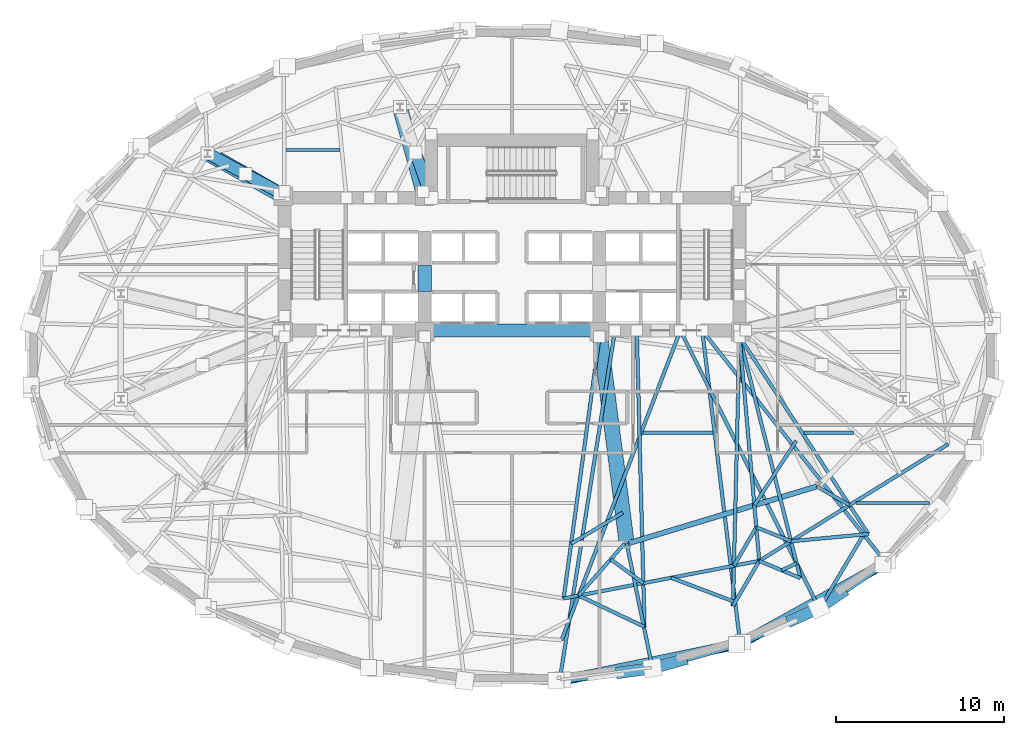
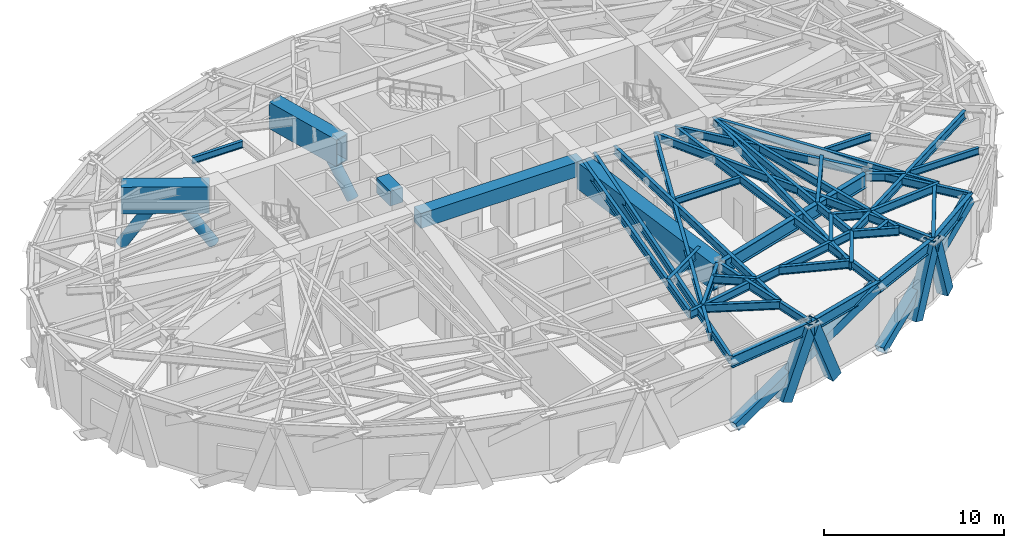
# One storey, part 3 of 14: 42 beams, 9 members.
"""IFC4 building model written with IfcOpenShell, lengths in metres."""

from ifc_helpers import new_model, si_unit, direction, frame, origin, origin_2d, place, context, subcontext, project, spatial, rectangle, hollow_rectangle, hollow_circle, i_section, extrude, material, material_profile, profile_set, type_object, element, save


model = new_model("IFC4")

# Units and contexts
model_context = context("Model", 3, precision=1e-05, world=origin(), true_north=direction((0.0, 1.0)))
body_context = subcontext(model_context, "Body", "Model", "MODEL_VIEW")
ifc_project = project(units=[si_unit("LENGTHUNIT", "METRE"), si_unit("AREAUNIT", "SQUARE_METRE"), si_unit("VOLUMEUNIT", "CUBIC_METRE"), si_unit("PLANEANGLEUNIT", "RADIAN"), si_unit("MASSUNIT", "GRAM", prefix="KILO")], contexts=[model_context])

# Site, building, storey
site_placement = place(None, origin())
site = spatial("IfcSite", under=ifc_project, at=site_placement, CompositionType="ELEMENT")
building_placement = place(site_placement, origin())
building = spatial("IfcBuilding", under=site, at=building_placement, Name="Keldmark Tower", CompositionType="ELEMENT")
storey_placement = place(building_placement, frame((0.0, 0.0, 77.39990234375)))
storey = spatial("IfcBuildingStorey", under=building, at=storey_placement, Name="L20", CompositionType="ELEMENT", Elevation=77.39990234375)

# Members
ifc_material_1 = material(Name="Steel ASTM A572 Grade 50", Category="steel")
ifc_material_profile_1 = material_profile(ifc_material_1, hollow_rectangle(XDim=0.60009765625, YDim=0.60009765625, WallThickness=0.034912109375, at=origin_2d()), Name="BOX600X600X35")
ifc_profile_set_1 = profile_set([ifc_material_profile_1], Name="Steel ASTM A572 Grade 50")
member_type_1 = type_object("IfcMemberType", Name="Belt Truss Diagonal Brace BOX600", PredefinedType="BRACE", material=ifc_profile_set_1)
member_1_placement = place(storey_placement, frame((3.03857421875, -19.316650390625, -0.539794921875), z_axis=(0.900089258732, 0.184893796968, 0.394529606187), x_axis=(-0.201215770394, 0.979546943104, 0.0)))
element("IfcMember", 1, at=member_1_placement, inside=storey, type_object=member_type_1, Name="L20 Perimeter Belt Truss Brace 13", PredefinedType="BRACE", context=body_context, shape_type="SweptSolid", body=[
    extrude(hollow_rectangle(XDim=0.60009765625, YDim=0.60009765625, WallThickness=0.034912109375, at=origin_2d()), origin(), (0.0, 0.0, 1.0), 11.4560546875),
])
member_2_placement = place(storey_placement, frame((13.735595703125, -17.0595703125, -0.539794921875), z_axis=(0.789813707761, 0.438764815289, 0.42857874877), x_axis=(-0.485625527038, 0.874166944862, 0.0)))
element("IfcMember", 2, at=member_2_placement, inside=storey, type_object=member_type_1, Name="L20 Perimeter Belt Truss Brace 14", PredefinedType="BRACE", context=body_context, shape_type="SweptSolid", body=[
    extrude(hollow_rectangle(XDim=0.60009765625, YDim=0.60009765625, WallThickness=0.034912109375, at=origin_2d()), origin(), (0.0, 0.0, 1.0), 10.5458984375),
])

# Beams
ifc_material_2 = material(Name="Steel ASTM A992 Grade 50", Category="steel")
ifc_material_profile_2 = material_profile(ifc_material_2, i_section(OverallWidth=0.19091796875, OverallDepth=0.45703125, WebThickness=0.009033203125, FlangeThickness=0.014404296875, at=origin_2d()), Name="W18X50")
ifc_profile_set_2 = profile_set([ifc_material_profile_2], Name="Steel ASTM A992 Grade 50")
beam_type_1 = type_object("IfcBeamType", Name="Composite Floor Joist W18X50", PredefinedType="JOIST", material=ifc_profile_set_2)
beam_1_placement = place(storey_placement, frame((20.459228515625, -8.780029296875, 4.051513671875), z_axis=(1.0, 0.0, 0.0), x_axis=(0.0, 1.0, 0.0)))
element("IfcBeam", 3, at=beam_1_placement, inside=storey, type_object=beam_type_1, Name="L20 Composite Floor Joist J04", PredefinedType="JOIST", context=body_context, shape_type="SweptSolid", body=[
    extrude(i_section(OverallWidth=0.19091796875, OverallDepth=0.45703125, WebThickness=0.009033203125, FlangeThickness=0.014404296875, at=origin_2d()), origin(), (0.0, 0.0, 1.0), 4.35205078125),
])
beam_2_placement = place(storey_placement, frame((7.781982421875, -4.60009765625, 4.051513671875), z_axis=(1.0, 0.0, 0.0), x_axis=(0.0, 1.0, 0.0)))
element("IfcBeam", 4, at=beam_2_placement, inside=storey, type_object=beam_type_1, Name="L20 Composite Floor Joist J08", PredefinedType="JOIST", context=body_context, shape_type="SweptSolid", body=[
    extrude(i_section(OverallWidth=0.19091796875, OverallDepth=0.45703125, WebThickness=0.009033203125, FlangeThickness=0.014404296875, at=origin_2d()), origin(), (0.0, 0.0, 1.0), 4.16650390625),
])
beam_3_placement = place(storey_placement, frame((17.364013671875, -4.60009765625, 4.051513671875), z_axis=(1.0, 0.0, 0.0), x_axis=(0.0, 1.0, 0.0)))
element("IfcBeam", 5, at=beam_3_placement, inside=storey, type_object=beam_type_1, Name="L20 Composite Floor Joist J09", PredefinedType="JOIST", context=body_context, shape_type="SweptSolid", body=[
    extrude(i_section(OverallWidth=0.19091796875, OverallDepth=0.45703125, WebThickness=0.009033203125, FlangeThickness=0.014404296875, at=origin_2d()), origin(), (0.0, 0.0, 1.0), 2.94140625),
])
beam_4_placement = place(storey_placement, frame((-13.44580078125, 12.199951171875, 4.051513671875), z_axis=(1.0, 0.0, 0.0), x_axis=(0.0, 1.0, 0.0)))
element("IfcBeam", 6, at=beam_4_placement, inside=storey, type_object=beam_type_1, Name="L20 Composite Floor Joist J12", PredefinedType="JOIST", context=body_context, shape_type="SweptSolid", body=[
    extrude(i_section(OverallWidth=0.19091796875, OverallDepth=0.45703125, WebThickness=0.009033203125, FlangeThickness=0.014404296875, at=origin_2d()), origin(), (0.0, 0.0, 1.0), 3.230224609375),
])
ifc_material_3 = material(Name="Concrete C70/85", Category="concrete")
ifc_material_profile_3 = material_profile(ifc_material_3, rectangle(XDim=0.800048828125, YDim=1.0, at=origin_2d()), Name="RCB800X1000")
ifc_profile_set_3 = profile_set([ifc_material_profile_3], Name="Concrete C70/85")
beam_type_2 = type_object("IfcBeamType", Name="Core Coupling Beam RCB800X1000", PredefinedType="USERDEFINED", material=ifc_profile_set_3)
beam_5_placement = place(storey_placement, frame((-5.199951171875, 3.800048828125, 3.780029296875), z_axis=(0.0, 1.0, 0.0), x_axis=(-1.0, 0.0, 0.0)))
element("IfcBeam", 7, at=beam_5_placement, inside=storey, type_object=beam_type_2, Name="L20 West Core Coupling Beam", ObjectType="COUPLING BEAM", PredefinedType="USERDEFINED", context=body_context, shape_type="SweptSolid", body=[
    extrude(rectangle(XDim=0.800048828125, YDim=1.0, at=origin_2d()), origin(), (0.0, 0.0, 1.0), 1.550048828125),
])
beam_6_placement = place(storey_placement, frame((-5.199951171875, 1.47509765625, 3.780029296875), z_axis=(1.0, 0.0, 0.0), x_axis=(0.0, 1.0, 0.0)))
element("IfcBeam", 8, at=beam_6_placement, inside=storey, type_object=beam_type_2, Name="L20 Central South Core Coupling Beam", ObjectType="COUPLING BEAM", PredefinedType="USERDEFINED", context=body_context, shape_type="SweptSolid", body=[
    extrude(rectangle(XDim=0.800048828125, YDim=1.0, at=origin_2d()), origin(), (0.0, 0.0, 1.0), 10.39990234375),
])

# Members
ifc_material_4 = material(Name="Steel ASTM A572 Grade 50", Category="steel")
ifc_material_profile_4 = material_profile(ifc_material_4, hollow_rectangle(XDim=0.699951171875, YDim=0.699951171875, WallThickness=0.054931640625, at=origin_2d()), Name="BOX700X700X55")
ifc_profile_set_4 = profile_set([ifc_material_profile_4], Name="Steel ASTM A572 Grade 50")
member_type_2 = type_object("IfcMemberType", Name="Diagrid Zone 1 Brace BOX700X700X55", PredefinedType="BRACE", material=ifc_profile_set_4)
member_3_placement = place(storey_placement, frame((6.508544921875, -18.84912109375, -0.31982421875), z_axis=(0.380427056547, 0.051226817932, 0.923391069792), x_axis=(-0.133451630096, 0.99105532763, 0.0)))
element("IfcMember", 9, at=member_3_placement, inside=storey, type_object=member_type_2, Name="L20 Perimeter Diagrid Brace 13A", PredefinedType="BRACE", context=body_context, shape_type="SweptSolid", body=[
    extrude(hollow_rectangle(XDim=0.699951171875, YDim=0.699951171875, WallThickness=0.054931640625, at=origin_2d()), origin(), (0.0, 0.0, 1.0), 4.8515625),
])
member_4_placement = place(storey_placement, frame((10.08154296875, -18.115234375, -0.31982421875), z_axis=(-0.359975574224, -0.100936706224, 0.927485507865), x_axis=(0.269985949358, -0.962864262058, 0.0)))
element("IfcMember", 10, at=member_4_placement, inside=storey, type_object=member_type_2, Name="L20 Perimeter Diagrid Brace 13B", PredefinedType="BRACE", context=body_context, shape_type="SweptSolid", body=[
    extrude(hollow_rectangle(XDim=0.699951171875, YDim=0.699951171875, WallThickness=0.054931640625, at=origin_2d()), origin(), (0.0, 0.0, 1.0), 4.830322265625),
])
member_5_placement = place(storey_placement, frame((16.677490234375, -15.728759765625, -0.31982421875), z_axis=(0.32612174834, 0.147566401964, 0.933739129667), x_axis=(-0.412249348078, 0.911071059253, 0.0)))
element("IfcMember", 11, at=member_5_placement, inside=storey, type_object=member_type_2, Name="L20 Perimeter Diagrid Brace 14A", PredefinedType="BRACE", context=body_context, shape_type="SweptSolid", body=[
    extrude(hollow_rectangle(XDim=0.699951171875, YDim=0.699951171875, WallThickness=0.054931640625, at=origin_2d()), origin(), (0.0, 0.0, 1.0), 4.7978515625),
])
member_6_placement = place(storey_placement, frame((19.56298828125, -14.126220703125, -0.31982421875), z_axis=(-0.279561268078, -0.18933222761, 0.941275095272), x_axis=(0.560750723676, -0.827984677332, 0.0)))
element("IfcMember", 12, at=member_6_placement, inside=storey, type_object=member_type_2, Name="L20 Perimeter Diagrid Brace 14B", PredefinedType="BRACE", context=body_context, shape_type="SweptSolid", body=[
    extrude(hollow_rectangle(XDim=0.699951171875, YDim=0.699951171875, WallThickness=0.054931640625, at=origin_2d()), origin(), (0.0, 0.0, 1.0), 4.759521484375),
])

# Beam
ifc_material_5 = material(Name="Steel ASTM A992 Grade 50", Category="steel")
ifc_material_profile_5 = material_profile(ifc_material_5, i_section(OverallWidth=0.31005859375, OverallDepth=0.931884765625, WebThickness=0.02099609375, FlangeThickness=0.034423828125, at=origin_2d()), Name="W36X210")
ifc_profile_set_5 = profile_set([ifc_material_profile_5], Name="Steel ASTM A992 Grade 50")
beam_type_3 = type_object("IfcBeamType", Name="Outrigger Chord Girder W36X210", PredefinedType="BEAM", material=ifc_profile_set_5)
beam_7_placement = place(storey_placement, frame((6.9560546875, -11.165283203125, 3.814208984375), z_axis=(0.957346071406, 0.2889437654, 0.0), x_axis=(-0.2889437654, 0.957346071406, 0.0)))
element("IfcBeam", 13, at=beam_7_placement, inside=storey, type_object=beam_type_3, Name="L20 Floor Ring Girder FG-R10", PredefinedType="BEAM", context=body_context, shape_type="SweptSolid", body=[
    extrude(i_section(OverallWidth=0.31005859375, OverallDepth=0.931884765625, WebThickness=0.02099609375, FlangeThickness=0.034423828125, at=origin_2d()), origin(), (0.0, 0.0, 1.0), 11.66015625),
])

# Members
ifc_material_6 = material(Name="Steel ASTM A572 Grade 50", Category="steel")
ifc_material_profile_6 = material_profile(ifc_material_6, hollow_circle(Radius=0.35009765625, WallThickness=0.031982421875, at=origin_2d()), Name="CHS700X32")
ifc_profile_set_6 = profile_set([ifc_material_profile_6], Name="Steel ASTM A572 Grade 50")
member_type_3 = type_object("IfcMemberType", Name="Outrigger Web Strut CHS700X32", PredefinedType="STRUT", material=ifc_profile_set_6)
member_7_placement = place(storey_placement, frame((-13.60009765625, 9.550048828125, 0.150146484375), z_axis=(-0.488006880473, 0.266652766195, 0.831111055691), x_axis=(-0.479499479875, -0.877542163545, 0.0)))
element("IfcMember", 14, at=member_7_placement, inside=storey, type_object=member_type_3, Name="L20 Core Outrigger Truss Strut 03A", PredefinedType="STRUT", context=body_context, shape_type="SweptSolid", body=[
    extrude(hollow_circle(Radius=0.35009765625, WallThickness=0.031982421875, at=origin_2d()), origin(), (0.0, 0.0, 1.0), 4.608154296875),
])
member_8_placement = place(storey_placement, frame((-18.09765625, 12.00732421875, 0.150146484375), z_axis=(0.48801377425, -0.266603551409, 0.831122796293), x_axis=(0.47942610845, 0.877582250582, 0.0)))
element("IfcMember", 15, at=member_8_placement, inside=storey, type_object=member_type_3, Name="L20 Core Outrigger Truss Strut 03B", PredefinedType="STRUT", context=body_context, shape_type="SweptSolid", body=[
    extrude(hollow_circle(Radius=0.35009765625, WallThickness=0.031982421875, at=origin_2d()), origin(), (0.0, 0.0, 1.0), 4.60791015625),
])
member_9_placement = place(storey_placement, frame((-4.800048828125, 9.35009765625, 0.150146484375), z_axis=(-0.195037171722, 0.565806971853, 0.801138547474), x_axis=(-0.945408342707, -0.325888118133, 0.0)))
element("IfcMember", 16, at=member_9_placement, inside=storey, type_object=member_type_3, Name="L20 Core Outrigger Truss Strut 04A", PredefinedType="STRUT", context=body_context, shape_type="SweptSolid", body=[
    extrude(hollow_circle(Radius=0.35009765625, WallThickness=0.031982421875, at=origin_2d()), origin(), (0.0, 0.0, 1.0), 4.780517578125),
])

# Beams
ifc_material_7 = material(Name="Steel ASTM A572 Grade 50", Category="steel")
ifc_material_profile_7 = material_profile(ifc_material_7, hollow_rectangle(XDim=0.89990234375, YDim=1.800048828125, WallThickness=0.074951171875, at=origin_2d()), Name="TBOX1800X900X75")
ifc_profile_set_7 = profile_set([ifc_material_profile_7], Name="Steel ASTM A572 Grade 50")
beam_type_4 = type_object("IfcBeamType", Name="Perimeter Transfer Box Girder 1800x900", PredefinedType="USERDEFINED", material=ifc_profile_set_7)
beam_8_placement = place(storey_placement, frame((-6.6650390625, 14.760009765625, 3.380126953125), z_axis=(0.26597687991, -0.963979408158, 0.0), x_axis=(0.963979408158, 0.26597687991, 0.0)))
element("IfcBeam", 17, at=beam_8_placement, inside=storey, type_object=beam_type_4, Name="L20 Upper Crown Transfer Box Girder UTB-TC-N1", ObjectType="TRANSFER GIRDER", PredefinedType="USERDEFINED", context=body_context, shape_type="SweptSolid", body=[
    extrude(hollow_rectangle(XDim=0.89990234375, YDim=1.800048828125, WallThickness=0.074951171875, at=origin_2d()), origin(), (0.0, 0.0, 1.0), 5.228271484375),
])
beam_9_placement = place(storey_placement, frame((-18.09765625, 12.00732421875, 3.380126953125), z_axis=(0.86929726432, -0.494289658243, 0.0), x_axis=(0.494289658243, 0.86929726432, 0.0)))
element("IfcBeam", 18, at=beam_9_placement, inside=storey, type_object=beam_type_4, Name="L20 Upper Crown Transfer Box Girder UTB-TC-W4", ObjectType="TRANSFER GIRDER", PredefinedType="USERDEFINED", context=body_context, shape_type="SweptSolid", body=[
    extrude(hollow_rectangle(XDim=0.89990234375, YDim=1.800048828125, WallThickness=0.074951171875, at=origin_2d()), origin(), (0.0, 0.0, 1.0), 4.893798828125),
])
beam_10_placement = place(storey_placement, frame((6.822021484375, -11.205810546875, 3.380126953125), z_axis=(-0.12763105011, 0.991821715354, 0.0), x_axis=(-0.991821715354, -0.12763105011, 0.0)))
element("IfcBeam", 19, at=beam_10_placement, inside=storey, type_object=beam_type_4, Name="L20 Upper Crown Transfer Box Girder UTB-TC-E3", ObjectType="TRANSFER GIRDER", PredefinedType="USERDEFINED", context=body_context, shape_type="SweptSolid", body=[
    extrude(hollow_rectangle(XDim=0.89990234375, YDim=1.800048828125, WallThickness=0.074951171875, at=origin_2d()), origin(), (0.0, 0.0, 1.0), 12.4296875),
])
ifc_material_8 = material(Name="Steel ASTM A992 Grade 50", Category="steel")
ifc_material_profile_8 = material_profile(ifc_material_8, i_section(OverallWidth=0.2099609375, OverallDepth=0.537109375, WebThickness=0.010986328125, FlangeThickness=0.017333984375, at=origin_2d()), Name="W21X68")
ifc_profile_set_8 = profile_set([ifc_material_profile_8], Name="Steel ASTM A992 Grade 50")
beam_type_5 = type_object("IfcBeamType", Name="Radial Tie Girder W21X68", PredefinedType="BEAM", material=ifc_profile_set_8)
beam_11_placement = place(storey_placement, frame((6.583984375, -9.356689453125, 4.01171875), z_axis=(-0.856602013256, -0.515977703865, 0.0), x_axis=(0.515977703865, -0.856602013256, 0.0)))
element("IfcBeam", 20, at=beam_11_placement, inside=storey, type_object=beam_type_5, Name="L20 Framing Pin Header PH-011", PredefinedType="BEAM", context=body_context, shape_type="SweptSolid", body=[
    extrude(i_section(OverallWidth=0.2099609375, OverallDepth=0.537109375, WebThickness=0.010986328125, FlangeThickness=0.017333984375, at=origin_2d()), origin(), (0.0, 0.0, 1.0), 3.583740234375),
])
beam_12_placement = place(storey_placement, frame((5.199951171875, 1.10009765625, 4.01171875), z_axis=(-0.13572864799, -0.990746049255, 0.0), x_axis=(0.990746049255, -0.13572864799, 0.0)))
element("IfcBeam", 21, at=beam_12_placement, inside=storey, type_object=beam_type_5, Name="L20 Sub-Ring Step Girder STP2-M10", PredefinedType="BEAM", context=body_context, shape_type="SweptSolid", body=[
    extrude(i_section(OverallWidth=0.2099609375, OverallDepth=0.537109375, WebThickness=0.010986328125, FlangeThickness=0.017333984375, at=origin_2d()), origin(), (0.0, 0.0, 1.0), 15.701171875),
])
beam_13_placement = place(storey_placement, frame((16.89501953125, -5.083740234375, 4.01171875), z_axis=(-0.544347653717, -0.838859721225, 0.0), x_axis=(0.838859721225, -0.544347653717, 0.0)))
element("IfcBeam", 22, at=beam_13_placement, inside=storey, type_object=beam_type_5, Name="L20 Framing Pin Header PH-012", PredefinedType="BEAM", context=body_context, shape_type="SweptSolid", body=[
    extrude(i_section(OverallWidth=0.2099609375, OverallDepth=0.537109375, WebThickness=0.010986328125, FlangeThickness=0.017333984375, at=origin_2d()), origin(), (0.0, 0.0, 1.0), 4.568359375),
])
beam_14_placement = place(storey_placement, frame((13.52490234375, 1.10009765625, 4.01171875), z_axis=(0.087855986287, -0.996133186714, 0.0), x_axis=(0.996133186714, 0.087855986287, 0.0)))
element("IfcBeam", 23, at=beam_14_placement, inside=storey, type_object=beam_type_5, Name="L20 Sub-Ring Step Girder STP2-M11", PredefinedType="BEAM", context=body_context, shape_type="SweptSolid", body=[
    extrude(i_section(OverallWidth=0.2099609375, OverallDepth=0.537109375, WebThickness=0.010986328125, FlangeThickness=0.017333984375, at=origin_2d()), origin(), (0.0, 0.0, 1.0), 13.374755859375),
])
beam_15_placement = place(storey_placement, frame((3.06884765625, -14.455810546875, 4.01171875), z_axis=(0.982066533302, 0.188534676299, 0.0), x_axis=(-0.188534676299, 0.982066533302, 0.0)))
element("IfcBeam", 24, at=beam_15_placement, inside=storey, type_object=beam_type_5, Name="L20 Perimeter Collector Ring Beam CRG2-M10", PredefinedType="BEAM", context=body_context, shape_type="SweptSolid", body=[
    extrude(i_section(OverallWidth=0.2099609375, OverallDepth=0.537109375, WebThickness=0.010986328125, FlangeThickness=0.017333984375, at=origin_2d()), origin(), (0.0, 0.0, 1.0), 11.843505859375),
])
beam_16_placement = place(storey_placement, frame((14.699951171875, -12.222900390625, 4.01171875), z_axis=(0.850708987026, 0.525636965399, 0.0), x_axis=(-0.525636965399, 0.850708987026, 0.0)))
element("IfcBeam", 25, at=beam_16_placement, inside=storey, type_object=beam_type_5, Name="L20 Perimeter Collector Ring Beam CRG2-M11", PredefinedType="BEAM", context=body_context, shape_type="SweptSolid", body=[
    extrude(i_section(OverallWidth=0.2099609375, OverallDepth=0.537109375, WebThickness=0.010986328125, FlangeThickness=0.017333984375, at=origin_2d()), origin(), (0.0, 0.0, 1.0), 13.202392578125),
])
beam_17_placement = place(storey_placement, frame((6.68212890625, -11.205810546875, 4.01171875), z_axis=(-0.662173740971, -0.749350343143, 0.0), x_axis=(0.749350343143, -0.662173740971, 0.0)))
element("IfcBeam", 26, at=beam_17_placement, inside=storey, type_object=beam_type_5, Name="L20 Framing Pin Header PH-038", PredefinedType="BEAM", context=body_context, shape_type="SweptSolid", body=[
    extrude(i_section(OverallWidth=0.2099609375, OverallDepth=0.537109375, WebThickness=0.010986328125, FlangeThickness=0.017333984375, at=origin_2d()), origin(), (0.0, 0.0, 1.0), 4.1083984375),
])
beam_18_placement = place(storey_placement, frame((10.0107421875, 1.47509765625, 4.01171875), z_axis=(-0.358347513421, -0.933588270934, 0.0), x_axis=(0.933588270934, -0.358347513421, 0.0)))
element("IfcBeam", 27, at=beam_18_placement, inside=storey, type_object=beam_type_5, Name="L20 Intermediate Radial Step Girder RT-25M", PredefinedType="BEAM", context=body_context, shape_type="SweptSolid", body=[
    extrude(i_section(OverallWidth=0.2099609375, OverallDepth=0.537109375, WebThickness=0.010986328125, FlangeThickness=0.017333984375, at=origin_2d()), origin(), (0.0, 0.0, 1.0), 19.71533203125),
])
beam_19_placement = place(storey_placement, frame((6.121337890625, 1.47509765625, 4.01171875), z_axis=(-0.156023656716, -0.987753318671, 0.0), x_axis=(0.987753318671, -0.156023656716, 0.0)))
element("IfcBeam", 28, at=beam_19_placement, inside=storey, type_object=beam_type_5, Name="L20 Perimeter Radial Tie Girder RT-25", PredefinedType="BEAM", context=body_context, shape_type="SweptSolid", body=[
    extrude(i_section(OverallWidth=0.2099609375, OverallDepth=0.537109375, WebThickness=0.010986328125, FlangeThickness=0.017333984375, at=origin_2d()), origin(), (0.0, 0.0, 1.0), 21.139892578125),
])
beam_20_placement = place(storey_placement, frame((5.865966796875, -12.12939453125, 4.01171875), z_axis=(0.808077004584, -0.589076866515, 0.0), x_axis=(0.589076866515, 0.808077004584, 0.0)))
element("IfcBeam", 29, at=beam_20_placement, inside=storey, type_object=beam_type_5, Name="L20 Framing Pin Header PH-040", PredefinedType="BEAM", context=body_context, shape_type="SweptSolid", body=[
    extrude(i_section(OverallWidth=0.2099609375, OverallDepth=0.537109375, WebThickness=0.010986328125, FlangeThickness=0.017333984375, at=origin_2d()), origin(), (0.0, 0.0, 1.0), 2.404541015625),
])
beam_21_placement = place(storey_placement, frame((7.41796875, 1.47509765625, 4.01171875), z_axis=(0.026043295509, -0.999660815857, 0.0), x_axis=(0.999660815857, 0.026043295509, 0.0)))
element("IfcBeam", 30, at=beam_21_placement, inside=storey, type_object=beam_type_5, Name="L20 Intermediate Radial Step Girder RT-26M", PredefinedType="BEAM", context=body_context, shape_type="SweptSolid", body=[
    extrude(i_section(OverallWidth=0.2099609375, OverallDepth=0.537109375, WebThickness=0.010986328125, FlangeThickness=0.017333984375, at=origin_2d()), origin(), (0.0, 0.0, 1.0), 17.623779296875),
])
beam_22_placement = place(storey_placement, frame((3.961669921875, -14.284423828125, 4.01171875), z_axis=(0.903399181141, -0.428800559135, 0.0), x_axis=(0.428800559135, 0.903399181141, 0.0)))
element("IfcBeam", 31, at=beam_22_placement, inside=storey, type_object=beam_type_5, Name="L20 Local Collector Chord RT-26C", PredefinedType="BEAM", context=body_context, shape_type="SweptSolid", body=[
    extrude(i_section(OverallWidth=0.2099609375, OverallDepth=0.537109375, WebThickness=0.010986328125, FlangeThickness=0.017333984375, at=origin_2d()), origin(), (0.0, 0.0, 1.0), 4.333984375),
])
beam_23_placement = place(storey_placement, frame((6.822021484375, -11.205810546875, 4.01171875), z_axis=(0.202071018817, -0.9793708712, 0.0), x_axis=(0.9793708712, 0.202071018817, 0.0)))
element("IfcBeam", 32, at=beam_23_placement, inside=storey, type_object=beam_type_5, Name="L20 Perimeter Radial Tie Girder RT-26", PredefinedType="BEAM", context=body_context, shape_type="SweptSolid", body=[
    extrude(i_section(OverallWidth=0.2099609375, OverallDepth=0.537109375, WebThickness=0.010986328125, FlangeThickness=0.017333984375, at=origin_2d()), origin(), (0.0, 0.0, 1.0), 7.611572265625),
])
beam_24_placement = place(storey_placement, frame((14.523681640625, -10.224609375, 4.01171875), z_axis=(-0.502573950608, -0.864534223828, 0.0), x_axis=(0.864534223828, -0.502573950608, 0.0)))
element("IfcBeam", 33, at=beam_24_placement, inside=storey, type_object=beam_type_5, Name="L20 Framing Pin Header PH-041", PredefinedType="BEAM", context=body_context, shape_type="SweptSolid", body=[
    extrude(i_section(OverallWidth=0.2099609375, OverallDepth=0.537109375, WebThickness=0.010986328125, FlangeThickness=0.017333984375, at=origin_2d()), origin(), (0.0, 0.0, 1.0), 2.64599609375),
])
beam_25_placement = place(storey_placement, frame((13.52490234375, 1.10009765625, 4.01171875), z_axis=(-0.024326483094, -0.999704067322, 0.0), x_axis=(0.999704067322, -0.024326483094, 0.0)))
element("IfcBeam", 34, at=beam_25_placement, inside=storey, type_object=beam_type_5, Name="L20 Intermediate Radial Step Girder RT-27M", PredefinedType="BEAM", context=body_context, shape_type="SweptSolid", body=[
    extrude(i_section(OverallWidth=0.2099609375, OverallDepth=0.537109375, WebThickness=0.010986328125, FlangeThickness=0.017333984375, at=origin_2d()), origin(), (0.0, 0.0, 1.0), 16.00732421875),
])
beam_26_placement = place(storey_placement, frame((14.699951171875, -12.222900390625, 4.01171875), z_axis=(-0.504184083392, -0.863596207758, 0.0), x_axis=(0.863596207758, -0.504184083392, 0.0)))
element("IfcBeam", 35, at=beam_26_placement, inside=storey, type_object=beam_type_5, Name="L20 Local Collector Chord RT-27C", PredefinedType="BEAM", context=body_context, shape_type="SweptSolid", body=[
    extrude(i_section(OverallWidth=0.2099609375, OverallDepth=0.537109375, WebThickness=0.010986328125, FlangeThickness=0.017333984375, at=origin_2d()), origin(), (0.0, 0.0, 1.0), 3.10302734375),
])
beam_27_placement = place(storey_placement, frame((9.4658203125, -13.227783203125, 4.01171875), z_axis=(0.93477162656, -0.355249217, 0.0), x_axis=(0.355249217, 0.93477162656, 0.0)))
element("IfcBeam", 36, at=beam_27_placement, inside=storey, type_object=beam_type_5, Name="L20 Framing Pin Header PH-042", PredefinedType="BEAM", context=body_context, shape_type="SweptSolid", body=[
    extrude(i_section(OverallWidth=0.2099609375, OverallDepth=0.537109375, WebThickness=0.010986328125, FlangeThickness=0.017333984375, at=origin_2d()), origin(), (0.0, 0.0, 1.0), 4.069091796875),
])
beam_28_placement = place(storey_placement, frame((11.30712890625, 1.47509765625, 4.01171875), z_axis=(0.120629827779, -0.992697559506, 0.0), x_axis=(0.992697559506, 0.120629827779, 0.0)))
element("IfcBeam", 37, at=beam_28_placement, inside=storey, type_object=beam_type_5, Name="L20 Perimeter Radial Tie Girder RT-27", PredefinedType="BEAM", context=body_context, shape_type="SweptSolid", body=[
    extrude(i_section(OverallWidth=0.2099609375, OverallDepth=0.537109375, WebThickness=0.010986328125, FlangeThickness=0.017333984375, at=origin_2d()), origin(), (0.0, 0.0, 1.0), 18.81005859375),
])
beam_29_placement = place(storey_placement, frame((14.523681640625, -10.224609375, 4.01171875), z_axis=(0.927634634349, -0.373488935788, 0.0), x_axis=(0.373488935788, 0.927634634349, 0.0)))
element("IfcBeam", 38, at=beam_29_placement, inside=storey, type_object=beam_type_5, Name="L20 Framing Pin Header PH-043", PredefinedType="BEAM", context=body_context, shape_type="SweptSolid", body=[
    extrude(i_section(OverallWidth=0.2099609375, OverallDepth=0.537109375, WebThickness=0.010986328125, FlangeThickness=0.017333984375, at=origin_2d()), origin(), (0.0, 0.0, 1.0), 2.225830078125),
])
beam_30_placement = place(storey_placement, frame((13.52490234375, 1.10009765625, 4.01171875), z_axis=(0.244379789537, -0.969679595777, 0.0), x_axis=(0.969679595777, 0.244379789537, 0.0)))
element("IfcBeam", 39, at=beam_30_placement, inside=storey, type_object=beam_type_5, Name="L20 Intermediate Radial Step Girder RT-28M", PredefinedType="BEAM", context=body_context, shape_type="SweptSolid", body=[
    extrude(i_section(OverallWidth=0.2099609375, OverallDepth=0.537109375, WebThickness=0.010986328125, FlangeThickness=0.017333984375, at=origin_2d()), origin(), (0.0, 0.0, 1.0), 14.79248046875),
])
beam_31_placement = place(storey_placement, frame((14.699951171875, -12.222900390625, 4.01171875), z_axis=(0.922491444197, -0.386017532483, 0.0), x_axis=(0.386017532483, 0.922491444197, 0.0)))
element("IfcBeam", 40, at=beam_31_placement, inside=storey, type_object=beam_type_5, Name="L20 Local Collector Chord RT-28C", PredefinedType="BEAM", context=body_context, shape_type="SweptSolid", body=[
    extrude(i_section(OverallWidth=0.2099609375, OverallDepth=0.537109375, WebThickness=0.010986328125, FlangeThickness=0.017333984375, at=origin_2d()), origin(), (0.0, 0.0, 1.0), 2.64501953125),
])
beam_32_placement = place(storey_placement, frame((16.0419921875, -12.784423828125, 4.01171875), z_axis=(0.901789508076, 0.432175523514, 0.0), x_axis=(-0.432175523514, 0.901789508076, 0.0)))
element("IfcBeam", 41, at=beam_32_placement, inside=storey, type_object=beam_type_5, Name="L20 Framing Pin Header PH-044", PredefinedType="BEAM", context=body_context, shape_type="SweptSolid", body=[
    extrude(i_section(OverallWidth=0.2099609375, OverallDepth=0.537109375, WebThickness=0.010986328125, FlangeThickness=0.017333984375, at=origin_2d()), origin(), (0.0, 0.0, 1.0), 0.9716796875),
])
beam_33_placement = place(storey_placement, frame((10.0107421875, 1.47509765625, 4.01171875), z_axis=(0.446579886858, -0.894743764803, 0.0), x_axis=(0.894743764803, 0.446579886858, 0.0)))
element("IfcBeam", 42, at=beam_33_placement, inside=storey, type_object=beam_type_5, Name="L20 Perimeter Radial Tie Girder RT-28", PredefinedType="BEAM", context=body_context, shape_type="SweptSolid", body=[
    extrude(i_section(OverallWidth=0.2099609375, OverallDepth=0.537109375, WebThickness=0.010986328125, FlangeThickness=0.017333984375, at=origin_2d()), origin(), (0.0, 0.0, 1.0), 18.49560546875),
])
beam_34_placement = place(storey_placement, frame((18.118896484375, -7.796142578125, 4.01171875), z_axis=(0.867860640834, -0.496807717424, 0.0), x_axis=(0.496807717424, 0.867860640834, 0.0)))
element("IfcBeam", 43, at=beam_34_placement, inside=storey, type_object=beam_type_5, Name="L20 Framing Pin Header PH-045", PredefinedType="BEAM", context=body_context, shape_type="SweptSolid", body=[
    extrude(i_section(OverallWidth=0.2099609375, OverallDepth=0.537109375, WebThickness=0.010986328125, FlangeThickness=0.017333984375, at=origin_2d()), origin(), (0.0, 0.0, 1.0), 2.240478515625),
])
beam_35_placement = place(storey_placement, frame((13.52490234375, 1.10009765625, 4.01171875), z_axis=(0.546884406774, -0.837208125634, 0.0), x_axis=(0.837208125634, 0.546884406774, 0.0)))
element("IfcBeam", 44, at=beam_35_placement, inside=storey, type_object=beam_type_5, Name="L20 Intermediate Radial Step Girder RT-29M", PredefinedType="BEAM", context=body_context, shape_type="SweptSolid", body=[
    extrude(i_section(OverallWidth=0.2099609375, OverallDepth=0.537109375, WebThickness=0.010986328125, FlangeThickness=0.017333984375, at=origin_2d()), origin(), (0.0, 0.0, 1.0), 14.00634765625),
])
beam_36_placement = place(storey_placement, frame((16.58837890625, -11.055908203125, 4.01171875), z_axis=(0.995658918399, 0.093076947808, 0.0), x_axis=(-0.093076947808, 0.995658918399, 0.0)))
element("IfcBeam", 45, at=beam_36_placement, inside=storey, type_object=beam_type_5, Name="L20 Local Collector Chord RT-29C", PredefinedType="BEAM", context=body_context, shape_type="SweptSolid", body=[
    extrude(i_section(OverallWidth=0.2099609375, OverallDepth=0.537109375, WebThickness=0.010986328125, FlangeThickness=0.017333984375, at=origin_2d()), origin(), (0.0, 0.0, 1.0), 4.616455078125),
])
beam_37_placement = place(storey_placement, frame((18.2705078125, -15.07373046875, 4.01171875), z_axis=(0.511653176354, 0.859192078133, 0.0), x_axis=(-0.859192078133, 0.511653176354, 0.0)))
element("IfcBeam", 46, at=beam_37_placement, inside=storey, type_object=beam_type_5, Name="L20 Framing Pin Header PH-046", PredefinedType="BEAM", context=body_context, shape_type="SweptSolid", body=[
    extrude(i_section(OverallWidth=0.2099609375, OverallDepth=0.537109375, WebThickness=0.010986328125, FlangeThickness=0.017333984375, at=origin_2d()), origin(), (0.0, 0.0, 1.0), 5.145751953125),
])
beam_38_placement = place(storey_placement, frame((11.30712890625, 1.47509765625, 4.01171875), z_axis=(0.620507417793, -0.784200576679, 0.0), x_axis=(0.784200576679, 0.620507417793, 0.0)))
element("IfcBeam", 47, at=beam_38_placement, inside=storey, type_object=beam_type_5, Name="L20 Perimeter Radial Tie Girder RT-29", PredefinedType="BEAM", context=body_context, shape_type="SweptSolid", body=[
    extrude(i_section(OverallWidth=0.2099609375, OverallDepth=0.537109375, WebThickness=0.010986328125, FlangeThickness=0.017333984375, at=origin_2d()), origin(), (0.0, 0.0, 1.0), 17.65576171875),
])
ifc_material_9 = material(Name="Steel ASTM A992 Grade 50", Category="steel")
ifc_material_profile_9 = material_profile(ifc_material_9, i_section(OverallWidth=0.26806640625, OverallDepth=0.77001953125, WebThickness=0.015625, FlangeThickness=0.025390625, at=origin_2d()), Name="W30X132")
ifc_profile_set_9 = profile_set([ifc_material_profile_9], Name="Steel ASTM A992 Grade 50")
beam_type_6 = type_object("IfcBeamType", Name="Spandrel Ring Beam W30X132", PredefinedType="SPANDREL", material=ifc_profile_set_9)
beam_39_placement = place(storey_placement, frame((2.822998046875, -19.406005859375, 3.89501953125), z_axis=(0.99105532763, 0.133451630096, 0.0), x_axis=(-0.133451630096, 0.99105532763, 0.0)))
element("IfcBeam", 48, at=beam_39_placement, inside=storey, type_object=beam_type_6, Name="L20 Perimeter Spandrel Ring Beam SRB-25", PredefinedType="SPANDREL", context=body_context, shape_type="SweptSolid", body=[
    extrude(i_section(OverallWidth=0.26806640625, OverallDepth=0.77001953125, WebThickness=0.015625, FlangeThickness=0.025390625, at=origin_2d()), origin(), (0.0, 0.0, 1.0), 5.587158203125),
])
beam_40_placement = place(storey_placement, frame((8.360107421875, -18.660400390625, 3.89501953125), z_axis=(0.962849260033, 0.270039446109, 0.0), x_axis=(-0.270039446109, 0.962849260033, 0.0)))
element("IfcBeam", 49, at=beam_40_placement, inside=storey, type_object=beam_type_6, Name="L20 Perimeter Spandrel Ring Beam SRB-26", PredefinedType="SPANDREL", context=body_context, shape_type="SweptSolid", body=[
    extrude(i_section(OverallWidth=0.26806640625, OverallDepth=0.77001953125, WebThickness=0.015625, FlangeThickness=0.025390625, at=origin_2d()), origin(), (0.0, 0.0, 1.0), 5.417236328125),
])
beam_41_placement = place(storey_placement, frame((13.576171875, -17.197509765625, 3.89501953125), z_axis=(0.911096907159, 0.412192219439, 0.0), x_axis=(-0.412192219439, 0.911096907159, 0.0)))
element("IfcBeam", 50, at=beam_41_placement, inside=storey, type_object=beam_type_6, Name="L20 Perimeter Spandrel Ring Beam SRB-27", PredefinedType="SPANDREL", context=body_context, shape_type="SweptSolid", body=[
    extrude(i_section(OverallWidth=0.26806640625, OverallDepth=0.77001953125, WebThickness=0.015625, FlangeThickness=0.025390625, at=origin_2d()), origin(), (0.0, 0.0, 1.0), 5.15234375),
])
beam_42_placement = place(storey_placement, frame((18.2705078125, -15.07373046875, 3.89501953125), z_axis=(0.82804003003, 0.560668983151, 0.0), x_axis=(-0.560668983151, 0.82804003003, 0.0)))
element("IfcBeam", 51, at=beam_42_placement, inside=storey, type_object=beam_type_6, Name="L20 Perimeter Spandrel Ring Beam SRB-28", PredefinedType="SPANDREL", context=body_context, shape_type="SweptSolid", body=[
    extrude(i_section(OverallWidth=0.26806640625, OverallDepth=0.77001953125, WebThickness=0.015625, FlangeThickness=0.025390625, at=origin_2d()), origin(), (0.0, 0.0, 1.0), 4.8212890625),
])

save(model, "model.ifc")
